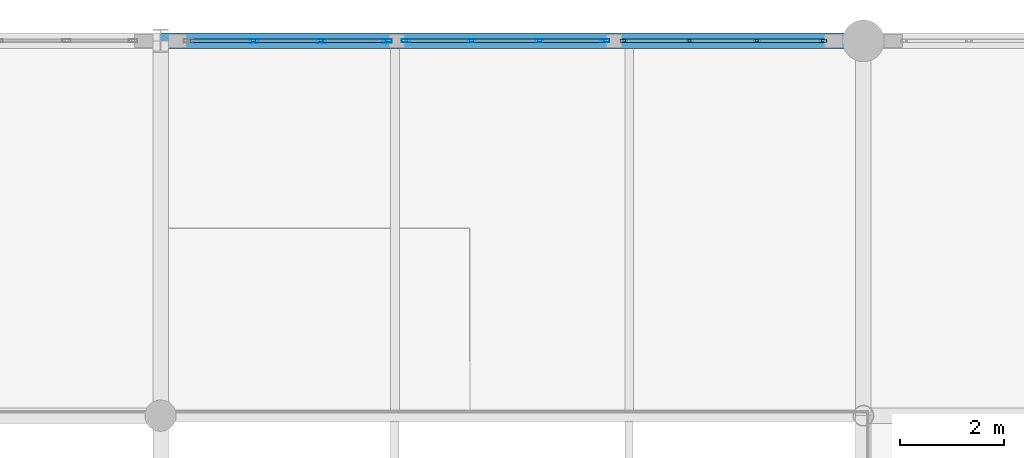
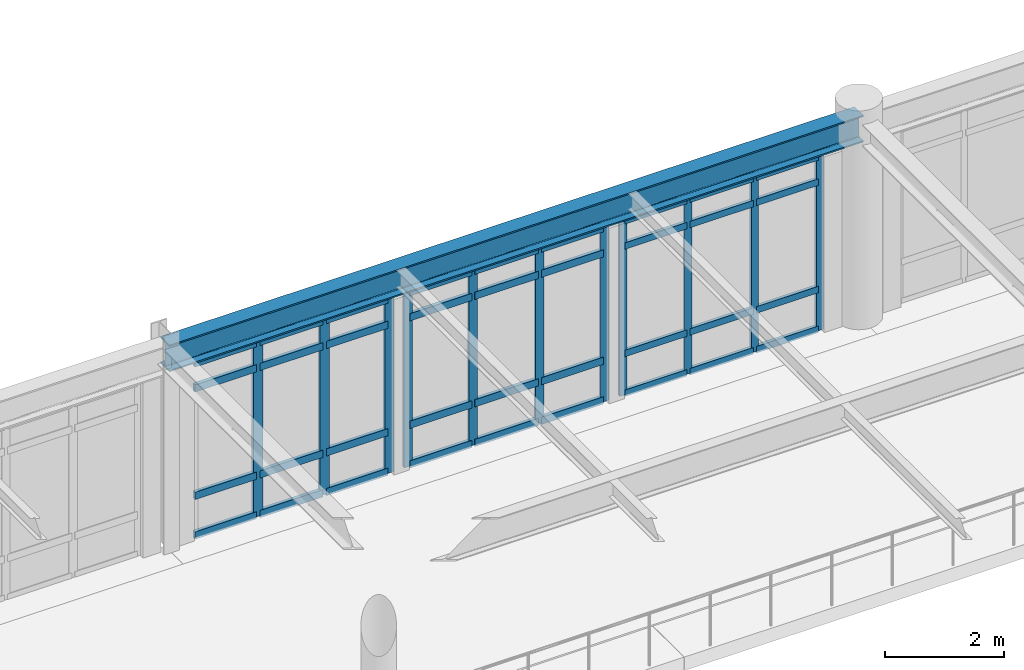
# One storey, part 27 of 61: 47 members, 1 beam, 3 elements without a shape of their own.
"""IFC4 building model written with IfcOpenShell, lengths in metres."""

from ifc_helpers import new_model, si_unit, direction, frame, origin, origin_2d, place, context, subcontext, project, spatial, hollow_rectangle, i_section, extrude, material, layer, layer_set, material_profile, profile_set, type_object, element, aggregate, save


model = new_model("IFC4")

# Units and contexts
model_context = context("Model", 3, precision=1e-05, world=origin(), true_north=direction((0.0, 1.0)))
body_context = subcontext(model_context, "Body", "Model", "MODEL_VIEW")
ifc_project = project(units=[si_unit("LENGTHUNIT", "METRE"), si_unit("AREAUNIT", "SQUARE_METRE"), si_unit("VOLUMEUNIT", "CUBIC_METRE"), si_unit("PLANEANGLEUNIT", "RADIAN"), si_unit("MASSUNIT", "GRAM", prefix="KILO")], contexts=[model_context])

# Site, building, storey
site_placement = place(None, origin())
site = spatial("IfcSite", under=ifc_project, at=site_placement, CompositionType="ELEMENT")
building_placement = place(site_placement, origin())
building = spatial("IfcBuilding", under=site, at=building_placement, Name="Fikremerkos Civic Library", CompositionType="ELEMENT")
storey_placement = place(building_placement, frame((0.0, 0.0, 14.39990234375)))
storey = spatial("IfcBuildingStorey", under=building, at=storey_placement, Name="L03", CompositionType="ELEMENT", Elevation=14.39990234375)

# Curtain wall, members
ifc_material_1 = material(Name="Anodized aluminium Frame", Category="aluminium")
ifc_layer_1 = layer(ifc_material_1, 0.159912109375, Name="Anodized aluminium Frame")
ifc_layer_set_1 = layer_set([ifc_layer_1], Name="Anodized aluminium Frame")
curtain_wall_type_1 = type_object("IfcCurtainWallType", Name="Unitised curtain wall CW-01 3600x3600", PredefinedType="USERDEFINED", material=ifc_layer_set_1)
curtain_wall_1_placement = place(storey_placement, origin())
curtain_wall_1 = element("IfcCurtainWall", 1, at=curtain_wall_1_placement, inside=storey, type_object=curtain_wall_type_1, Name="Unitised curtain wall CW-01 L03 #199", ObjectType="UNITISED CURTAIN WALL", PredefinedType="USERDEFINED")
ifc_material_profile_1 = material_profile(ifc_material_1, hollow_rectangle(XDim=0.06494140625, YDim=0.179931640625, WallThickness=0.00439453125, at=origin_2d()), Name="ALU 180x65x4.5")
ifc_profile_set_1 = profile_set([ifc_material_profile_1], Name="Anodized aluminium Frame")
member_type_1 = type_object("IfcMemberType", Name="Curtain mullion CWM-01 ALU 180x65x4.5", PredefinedType="MULLION", material=ifc_profile_set_1)
member_1_placement = place(storey_placement, frame((74.992919921875, 48.0, 0.0), z_axis=(0.0, 0.0, 1.0), x_axis=(0.0, 1.0, 0.0)))
member_1 = element("IfcMember", 2, at=member_1_placement, type_object=member_type_1, Name="CW-01 mullion 2", PredefinedType="MULLION", context=body_context, shape_type="SweptSolid", body=[
    extrude(hollow_rectangle(XDim=0.06494140625, YDim=0.179931640625, WallThickness=0.00439453125, at=origin_2d()), origin(), (0.0, 0.0, 1.0), 3.610107421875),
])
member_2_placement = place(storey_placement, frame((76.287841796875, 48.0, 0.0), z_axis=(0.0, 0.0, 1.0), x_axis=(0.0, 1.0, 0.0)))
member_2 = element("IfcMember", 3, at=member_2_placement, type_object=member_type_1, Name="CW-01 mullion 3", PredefinedType="MULLION", context=body_context, shape_type="SweptSolid", body=[
    extrude(hollow_rectangle(XDim=0.06494140625, YDim=0.179931640625, WallThickness=0.00439453125, at=origin_2d()), origin(), (0.0, 0.0, 1.0), 3.610107421875),
])
member_3_placement = place(storey_placement, frame((77.550048828125, 48.0, 0.0), z_axis=(0.0, 0.0, 1.0), x_axis=(0.0, 1.0, 0.0)))
member_3 = element("IfcMember", 4, at=member_3_placement, type_object=member_type_1, Name="CW-01 mullion 4", PredefinedType="MULLION", context=body_context, shape_type="SweptSolid", body=[
    extrude(hollow_rectangle(XDim=0.06494140625, YDim=0.179931640625, WallThickness=0.00439453125, at=origin_2d()), origin(), (0.0, 0.0, 1.0), 3.610107421875),
])

ifc_layer_2 = layer(ifc_material_1, 0.159912109375, Name="Anodized aluminium Frame")
ifc_layer_set_2 = layer_set([ifc_layer_2], Name="Anodized aluminium Frame")
curtain_wall_type_2 = type_object("IfcCurtainWallType", Name="Unitised curtain wall CW-02 3900x3600", PredefinedType="USERDEFINED", material=ifc_layer_set_2)
curtain_wall_2_placement = place(storey_placement, origin())
curtain_wall_2 = element("IfcCurtainWall", 5, at=curtain_wall_2_placement, inside=storey, type_object=curtain_wall_type_2, Name="Unitised curtain wall CW-02 L03 #200", ObjectType="UNITISED CURTAIN WALL", PredefinedType="USERDEFINED")
ifc_material_profile_2 = material_profile(ifc_material_1, hollow_rectangle(XDim=0.06005859375, YDim=0.159912109375, WallThickness=0.00390625, at=origin_2d()), Name="ALU 160x60x4")
ifc_profile_set_2 = profile_set([ifc_material_profile_2], Name="Anodized aluminium Frame")
member_type_2 = type_object("IfcMemberType", Name="Curtain mullion CWM-02 ALU 160x60x4", PredefinedType="MULLION", material=ifc_profile_set_2)
member_4_placement = place(storey_placement, frame((77.91259765625, 48.0, 0.0), z_axis=(0.0, 0.0, 1.0), x_axis=(0.0, 1.0, 0.0)))
member_4 = element("IfcMember", 6, at=member_4_placement, type_object=member_type_2, Name="CW-02 mullion 1", PredefinedType="MULLION", context=body_context, shape_type="SweptSolid", body=[
    extrude(hollow_rectangle(XDim=0.06005859375, YDim=0.159912109375, WallThickness=0.00390625, at=origin_2d()), origin(), (0.0, 0.0, 1.0), 3.610107421875),
])
member_5_placement = place(storey_placement, frame((79.177490234375, 48.0, 0.0), z_axis=(0.0, 0.0, 1.0), x_axis=(0.0, 1.0, 0.0)))
member_5 = element("IfcMember", 7, at=member_5_placement, type_object=member_type_2, Name="CW-02 mullion 2", PredefinedType="MULLION", context=body_context, shape_type="SweptSolid", body=[
    extrude(hollow_rectangle(XDim=0.06005859375, YDim=0.159912109375, WallThickness=0.00390625, at=origin_2d()), origin(), (0.0, 0.0, 1.0), 3.610107421875),
])
member_6_placement = place(storey_placement, frame((80.472412109375, 48.0, 0.0), z_axis=(0.0, 0.0, 1.0), x_axis=(0.0, 1.0, 0.0)))
member_6 = element("IfcMember", 8, at=member_6_placement, type_object=member_type_2, Name="CW-02 mullion 3", PredefinedType="MULLION", context=body_context, shape_type="SweptSolid", body=[
    extrude(hollow_rectangle(XDim=0.06005859375, YDim=0.159912109375, WallThickness=0.00390625, at=origin_2d()), origin(), (0.0, 0.0, 1.0), 3.610107421875),
])
member_7_placement = place(storey_placement, frame((81.7373046875, 48.0, 0.0), z_axis=(0.0, 0.0, 1.0), x_axis=(0.0, 1.0, 0.0)))
member_7 = element("IfcMember", 9, at=member_7_placement, type_object=member_type_2, Name="CW-02 mullion 4", PredefinedType="MULLION", context=body_context, shape_type="SweptSolid", body=[
    extrude(hollow_rectangle(XDim=0.06005859375, YDim=0.159912109375, WallThickness=0.00390625, at=origin_2d()), origin(), (0.0, 0.0, 1.0), 3.610107421875),
])

ifc_layer_3 = layer(ifc_material_1, 0.159912109375, Name="Anodized aluminium Frame")
ifc_layer_set_3 = layer_set([ifc_layer_3], Name="Anodized aluminium Frame")
curtain_wall_type_3 = type_object("IfcCurtainWallType", Name="Unitised curtain wall CW-03 4100x3600", PredefinedType="USERDEFINED", material=ifc_layer_set_3)
curtain_wall_3_placement = place(storey_placement, origin())
curtain_wall_3 = element("IfcCurtainWall", 10, at=curtain_wall_3_placement, inside=storey, type_object=curtain_wall_type_3, Name="Unitised curtain wall CW-03 L03 #201", ObjectType="UNITISED CURTAIN WALL", PredefinedType="USERDEFINED")
ifc_material_profile_3 = material_profile(ifc_material_1, hollow_rectangle(XDim=0.06005859375, YDim=0.139892578125, WallThickness=0.00390625, at=origin_2d()), Name="ALU 140x60x4")
ifc_profile_set_3 = profile_set([ifc_material_profile_3], Name="Anodized aluminium Frame")
member_type_3 = type_object("IfcMemberType", Name="Curtain mullion CWM-03 ALU 140x60x4", PredefinedType="MULLION", material=ifc_profile_set_3)
member_8_placement = place(storey_placement, frame((82.097412109375, 48.0, 0.0), z_axis=(0.0, 0.0, 1.0), x_axis=(0.0, 1.0, 0.0)))
member_8 = element("IfcMember", 11, at=member_8_placement, type_object=member_type_3, Name="CW-03 mullion 1", PredefinedType="MULLION", context=body_context, shape_type="SweptSolid", body=[
    extrude(hollow_rectangle(XDim=0.06005859375, YDim=0.139892578125, WallThickness=0.00390625, at=origin_2d()), origin(), (0.0, 0.0, 1.0), 3.610107421875),
])
member_9_placement = place(storey_placement, frame((83.3623046875, 48.0, 0.0), z_axis=(0.0, 0.0, 1.0), x_axis=(0.0, 1.0, 0.0)))
member_9 = element("IfcMember", 12, at=member_9_placement, type_object=member_type_3, Name="CW-03 mullion 2", PredefinedType="MULLION", context=body_context, shape_type="SweptSolid", body=[
    extrude(hollow_rectangle(XDim=0.06005859375, YDim=0.139892578125, WallThickness=0.00390625, at=origin_2d()), origin(), (0.0, 0.0, 1.0), 3.610107421875),
])
member_10_placement = place(storey_placement, frame((84.6572265625, 48.0, 0.0), z_axis=(0.0, 0.0, 1.0), x_axis=(0.0, 1.0, 0.0)))
member_10 = element("IfcMember", 13, at=member_10_placement, type_object=member_type_3, Name="CW-03 mullion 3", PredefinedType="MULLION", context=body_context, shape_type="SweptSolid", body=[
    extrude(hollow_rectangle(XDim=0.06005859375, YDim=0.139892578125, WallThickness=0.00390625, at=origin_2d()), origin(), (0.0, 0.0, 1.0), 3.610107421875),
])
member_11_placement = place(storey_placement, frame((85.922119140625, 48.0, 0.0), z_axis=(0.0, 0.0, 1.0), x_axis=(0.0, 1.0, 0.0)))
member_11 = element("IfcMember", 14, at=member_11_placement, type_object=member_type_3, Name="CW-03 mullion 4", PredefinedType="MULLION", context=body_context, shape_type="SweptSolid", body=[
    extrude(hollow_rectangle(XDim=0.06005859375, YDim=0.139892578125, WallThickness=0.00390625, at=origin_2d()), origin(), (0.0, 0.0, 1.0), 3.610107421875),
])

# Member
ifc_material_profile_4 = material_profile(ifc_material_1, hollow_rectangle(XDim=0.070068359375, YDim=0.14990234375, WallThickness=0.00439453125, at=origin_2d()), Name="ALU 150x70x4.5")
ifc_profile_set_4 = profile_set([ifc_material_profile_4], Name="Anodized aluminium Frame")
member_type_4 = type_object("IfcMemberType", Name="Curtain transom CWT-01 ALU 150x70x4.5", PredefinedType="USERDEFINED", material=ifc_profile_set_4)
member_12_placement = place(storey_placement, frame((73.762939453125, 48.0, 0.03515625), z_axis=(1.0, 0.0, 0.0), x_axis=(0.0, 1.0, 0.0)))
member_12 = element("IfcMember", 15, at=member_12_placement, type_object=member_type_4, Name="CW-01 transom 1.1", ObjectType="TRANSOM", PredefinedType="USERDEFINED", context=body_context, shape_type="SweptSolid", body=[
    extrude(hollow_rectangle(XDim=0.070068359375, YDim=0.14990234375, WallThickness=0.00439453125, at=origin_2d()), origin(), (0.0, 0.0, 1.0), 1.197509765625),
])

member_13_placement = place(storey_placement, frame((73.762939453125, 48.0, 0.85009765625), z_axis=(1.0, 0.0, 0.0), x_axis=(0.0, 1.0, 0.0)))
member_13 = element("IfcMember", 16, at=member_13_placement, type_object=member_type_4, Name="CW-01 transom 1.2", ObjectType="TRANSOM", PredefinedType="USERDEFINED", context=body_context, shape_type="SweptSolid", body=[
    extrude(hollow_rectangle(XDim=0.070068359375, YDim=0.14990234375, WallThickness=0.00439453125, at=origin_2d()), origin(), (0.0, 0.0, 1.0), 1.197509765625),
])

member_14_placement = place(storey_placement, frame((73.762939453125, 48.0, 3.06005859375), z_axis=(1.0, 0.0, 0.0), x_axis=(0.0, 1.0, 0.0)))
member_14 = element("IfcMember", 17, at=member_14_placement, type_object=member_type_4, Name="CW-01 transom 1.3", ObjectType="TRANSOM", PredefinedType="USERDEFINED", context=body_context, shape_type="SweptSolid", body=[
    extrude(hollow_rectangle(XDim=0.070068359375, YDim=0.14990234375, WallThickness=0.00439453125, at=origin_2d()), origin(), (0.0, 0.0, 1.0), 1.197509765625),
])

member_15_placement = place(storey_placement, frame((73.762939453125, 48.0, 3.5751953125), z_axis=(1.0, 0.0, 0.0), x_axis=(0.0, 1.0, 0.0)))
member_15 = element("IfcMember", 18, at=member_15_placement, type_object=member_type_4, Name="CW-01 transom 1.4", ObjectType="TRANSOM", PredefinedType="USERDEFINED", context=body_context, shape_type="SweptSolid", body=[
    extrude(hollow_rectangle(XDim=0.070068359375, YDim=0.14990234375, WallThickness=0.00439453125, at=origin_2d()), origin(), (0.0, 0.0, 1.0), 1.197509765625),
])

member_16_placement = place(storey_placement, frame((75.025390625, 48.0, 0.03515625), z_axis=(1.0, 0.0, 0.0), x_axis=(0.0, 1.0, 0.0)))
member_16 = element("IfcMember", 19, at=member_16_placement, type_object=member_type_4, Name="CW-01 transom 2.1", ObjectType="TRANSOM", PredefinedType="USERDEFINED", context=body_context, shape_type="SweptSolid", body=[
    extrude(hollow_rectangle(XDim=0.070068359375, YDim=0.14990234375, WallThickness=0.00439453125, at=origin_2d()), origin(), (0.0, 0.0, 1.0), 1.22998046875),
])

member_17_placement = place(storey_placement, frame((75.025390625, 48.0, 0.85009765625), z_axis=(1.0, 0.0, 0.0), x_axis=(0.0, 1.0, 0.0)))
member_17 = element("IfcMember", 20, at=member_17_placement, type_object=member_type_4, Name="CW-01 transom 2.2", ObjectType="TRANSOM", PredefinedType="USERDEFINED", context=body_context, shape_type="SweptSolid", body=[
    extrude(hollow_rectangle(XDim=0.070068359375, YDim=0.14990234375, WallThickness=0.00439453125, at=origin_2d()), origin(), (0.0, 0.0, 1.0), 1.22998046875),
])

member_18_placement = place(storey_placement, frame((75.025390625, 48.0, 3.06005859375), z_axis=(1.0, 0.0, 0.0), x_axis=(0.0, 1.0, 0.0)))
member_18 = element("IfcMember", 21, at=member_18_placement, type_object=member_type_4, Name="CW-01 transom 2.3", ObjectType="TRANSOM", PredefinedType="USERDEFINED", context=body_context, shape_type="SweptSolid", body=[
    extrude(hollow_rectangle(XDim=0.070068359375, YDim=0.14990234375, WallThickness=0.00439453125, at=origin_2d()), origin(), (0.0, 0.0, 1.0), 1.22998046875),
])

member_19_placement = place(storey_placement, frame((75.025390625, 48.0, 3.5751953125), z_axis=(1.0, 0.0, 0.0), x_axis=(0.0, 1.0, 0.0)))
member_19 = element("IfcMember", 22, at=member_19_placement, type_object=member_type_4, Name="CW-01 transom 2.4", ObjectType="TRANSOM", PredefinedType="USERDEFINED", context=body_context, shape_type="SweptSolid", body=[
    extrude(hollow_rectangle(XDim=0.070068359375, YDim=0.14990234375, WallThickness=0.00439453125, at=origin_2d()), origin(), (0.0, 0.0, 1.0), 1.22998046875),
])

member_20_placement = place(storey_placement, frame((76.3203125, 48.0, 0.03515625), z_axis=(1.0, 0.0, 0.0), x_axis=(0.0, 1.0, 0.0)))
member_20 = element("IfcMember", 23, at=member_20_placement, type_object=member_type_4, Name="CW-01 transom 3.1", ObjectType="TRANSOM", PredefinedType="USERDEFINED", context=body_context, shape_type="SweptSolid", body=[
    extrude(hollow_rectangle(XDim=0.070068359375, YDim=0.14990234375, WallThickness=0.00439453125, at=origin_2d()), origin(), (0.0, 0.0, 1.0), 1.197265625),
])

member_21_placement = place(storey_placement, frame((76.3203125, 48.0, 0.85009765625), z_axis=(1.0, 0.0, 0.0), x_axis=(0.0, 1.0, 0.0)))
member_21 = element("IfcMember", 24, at=member_21_placement, type_object=member_type_4, Name="CW-01 transom 3.2", ObjectType="TRANSOM", PredefinedType="USERDEFINED", context=body_context, shape_type="SweptSolid", body=[
    extrude(hollow_rectangle(XDim=0.070068359375, YDim=0.14990234375, WallThickness=0.00439453125, at=origin_2d()), origin(), (0.0, 0.0, 1.0), 1.197265625),
])

member_22_placement = place(storey_placement, frame((76.3203125, 48.0, 3.06005859375), z_axis=(1.0, 0.0, 0.0), x_axis=(0.0, 1.0, 0.0)))
member_22 = element("IfcMember", 25, at=member_22_placement, type_object=member_type_4, Name="CW-01 transom 3.3", ObjectType="TRANSOM", PredefinedType="USERDEFINED", context=body_context, shape_type="SweptSolid", body=[
    extrude(hollow_rectangle(XDim=0.070068359375, YDim=0.14990234375, WallThickness=0.00439453125, at=origin_2d()), origin(), (0.0, 0.0, 1.0), 1.197265625),
])

member_23_placement = place(storey_placement, frame((76.3203125, 48.0, 3.5751953125), z_axis=(1.0, 0.0, 0.0), x_axis=(0.0, 1.0, 0.0)))
member_23 = element("IfcMember", 26, at=member_23_placement, type_object=member_type_4, Name="CW-01 transom 3.4", ObjectType="TRANSOM", PredefinedType="USERDEFINED", context=body_context, shape_type="SweptSolid", body=[
    extrude(hollow_rectangle(XDim=0.070068359375, YDim=0.14990234375, WallThickness=0.00439453125, at=origin_2d()), origin(), (0.0, 0.0, 1.0), 1.197265625),
])

aggregate(curtain_wall_1, [member_1, member_2, member_3, member_12, member_13, member_14, member_15, member_16, member_17, member_18, member_19, member_20, member_21, member_22, member_23])

member_24_placement = place(storey_placement, frame((77.942626953125, 48.0, 0.03515625), z_axis=(1.0, 0.0, 0.0), x_axis=(0.0, 1.0, 0.0)))
member_24 = element("IfcMember", 27, at=member_24_placement, type_object=member_type_4, Name="CW-02 transom 1.1", ObjectType="TRANSOM", PredefinedType="USERDEFINED", context=body_context, shape_type="SweptSolid", body=[
    extrude(hollow_rectangle(XDim=0.070068359375, YDim=0.14990234375, WallThickness=0.00439453125, at=origin_2d()), origin(), (0.0, 0.0, 1.0), 1.204833984375),
])

member_25_placement = place(storey_placement, frame((77.942626953125, 48.0, 0.85009765625), z_axis=(1.0, 0.0, 0.0), x_axis=(0.0, 1.0, 0.0)))
member_25 = element("IfcMember", 28, at=member_25_placement, type_object=member_type_4, Name="CW-02 transom 1.2", ObjectType="TRANSOM", PredefinedType="USERDEFINED", context=body_context, shape_type="SweptSolid", body=[
    extrude(hollow_rectangle(XDim=0.070068359375, YDim=0.14990234375, WallThickness=0.00439453125, at=origin_2d()), origin(), (0.0, 0.0, 1.0), 1.204833984375),
])

member_26_placement = place(storey_placement, frame((77.942626953125, 48.0, 3.06005859375), z_axis=(1.0, 0.0, 0.0), x_axis=(0.0, 1.0, 0.0)))
member_26 = element("IfcMember", 29, at=member_26_placement, type_object=member_type_4, Name="CW-02 transom 1.3", ObjectType="TRANSOM", PredefinedType="USERDEFINED", context=body_context, shape_type="SweptSolid", body=[
    extrude(hollow_rectangle(XDim=0.070068359375, YDim=0.14990234375, WallThickness=0.00439453125, at=origin_2d()), origin(), (0.0, 0.0, 1.0), 1.204833984375),
])

member_27_placement = place(storey_placement, frame((77.942626953125, 48.0, 3.5751953125), z_axis=(1.0, 0.0, 0.0), x_axis=(0.0, 1.0, 0.0)))
member_27 = element("IfcMember", 30, at=member_27_placement, type_object=member_type_4, Name="CW-02 transom 1.4", ObjectType="TRANSOM", PredefinedType="USERDEFINED", context=body_context, shape_type="SweptSolid", body=[
    extrude(hollow_rectangle(XDim=0.070068359375, YDim=0.14990234375, WallThickness=0.00439453125, at=origin_2d()), origin(), (0.0, 0.0, 1.0), 1.204833984375),
])

member_28_placement = place(storey_placement, frame((79.20751953125, 48.0, 0.03515625), z_axis=(1.0, 0.0, 0.0), x_axis=(0.0, 1.0, 0.0)))
member_28 = element("IfcMember", 31, at=member_28_placement, type_object=member_type_4, Name="CW-02 transom 2.1", ObjectType="TRANSOM", PredefinedType="USERDEFINED", context=body_context, shape_type="SweptSolid", body=[
    extrude(hollow_rectangle(XDim=0.070068359375, YDim=0.14990234375, WallThickness=0.00439453125, at=origin_2d()), origin(), (0.0, 0.0, 1.0), 1.23486328125),
])

member_29_placement = place(storey_placement, frame((79.20751953125, 48.0, 0.85009765625), z_axis=(1.0, 0.0, 0.0), x_axis=(0.0, 1.0, 0.0)))
member_29 = element("IfcMember", 32, at=member_29_placement, type_object=member_type_4, Name="CW-02 transom 2.2", ObjectType="TRANSOM", PredefinedType="USERDEFINED", context=body_context, shape_type="SweptSolid", body=[
    extrude(hollow_rectangle(XDim=0.070068359375, YDim=0.14990234375, WallThickness=0.00439453125, at=origin_2d()), origin(), (0.0, 0.0, 1.0), 1.23486328125),
])

member_30_placement = place(storey_placement, frame((79.20751953125, 48.0, 3.06005859375), z_axis=(1.0, 0.0, 0.0), x_axis=(0.0, 1.0, 0.0)))
member_30 = element("IfcMember", 33, at=member_30_placement, type_object=member_type_4, Name="CW-02 transom 2.3", ObjectType="TRANSOM", PredefinedType="USERDEFINED", context=body_context, shape_type="SweptSolid", body=[
    extrude(hollow_rectangle(XDim=0.070068359375, YDim=0.14990234375, WallThickness=0.00439453125, at=origin_2d()), origin(), (0.0, 0.0, 1.0), 1.23486328125),
])

member_31_placement = place(storey_placement, frame((79.20751953125, 48.0, 3.5751953125), z_axis=(1.0, 0.0, 0.0), x_axis=(0.0, 1.0, 0.0)))
member_31 = element("IfcMember", 34, at=member_31_placement, type_object=member_type_4, Name="CW-02 transom 2.4", ObjectType="TRANSOM", PredefinedType="USERDEFINED", context=body_context, shape_type="SweptSolid", body=[
    extrude(hollow_rectangle(XDim=0.070068359375, YDim=0.14990234375, WallThickness=0.00439453125, at=origin_2d()), origin(), (0.0, 0.0, 1.0), 1.23486328125),
])

member_32_placement = place(storey_placement, frame((80.50244140625, 48.0, 0.03515625), z_axis=(1.0, 0.0, 0.0), x_axis=(0.0, 1.0, 0.0)))
member_32 = element("IfcMember", 35, at=member_32_placement, type_object=member_type_4, Name="CW-02 transom 3.1", ObjectType="TRANSOM", PredefinedType="USERDEFINED", context=body_context, shape_type="SweptSolid", body=[
    extrude(hollow_rectangle(XDim=0.070068359375, YDim=0.14990234375, WallThickness=0.00439453125, at=origin_2d()), origin(), (0.0, 0.0, 1.0), 1.204833984375),
])

member_33_placement = place(storey_placement, frame((80.50244140625, 48.0, 0.85009765625), z_axis=(1.0, 0.0, 0.0), x_axis=(0.0, 1.0, 0.0)))
member_33 = element("IfcMember", 36, at=member_33_placement, type_object=member_type_4, Name="CW-02 transom 3.2", ObjectType="TRANSOM", PredefinedType="USERDEFINED", context=body_context, shape_type="SweptSolid", body=[
    extrude(hollow_rectangle(XDim=0.070068359375, YDim=0.14990234375, WallThickness=0.00439453125, at=origin_2d()), origin(), (0.0, 0.0, 1.0), 1.204833984375),
])

member_34_placement = place(storey_placement, frame((80.50244140625, 48.0, 3.06005859375), z_axis=(1.0, 0.0, 0.0), x_axis=(0.0, 1.0, 0.0)))
member_34 = element("IfcMember", 37, at=member_34_placement, type_object=member_type_4, Name="CW-02 transom 3.3", ObjectType="TRANSOM", PredefinedType="USERDEFINED", context=body_context, shape_type="SweptSolid", body=[
    extrude(hollow_rectangle(XDim=0.070068359375, YDim=0.14990234375, WallThickness=0.00439453125, at=origin_2d()), origin(), (0.0, 0.0, 1.0), 1.204833984375),
])

member_35_placement = place(storey_placement, frame((80.50244140625, 48.0, 3.5751953125), z_axis=(1.0, 0.0, 0.0), x_axis=(0.0, 1.0, 0.0)))
member_35 = element("IfcMember", 38, at=member_35_placement, type_object=member_type_4, Name="CW-02 transom 3.4", ObjectType="TRANSOM", PredefinedType="USERDEFINED", context=body_context, shape_type="SweptSolid", body=[
    extrude(hollow_rectangle(XDim=0.070068359375, YDim=0.14990234375, WallThickness=0.00439453125, at=origin_2d()), origin(), (0.0, 0.0, 1.0), 1.204833984375),
])

aggregate(curtain_wall_2, [member_4, member_5, member_6, member_7, member_24, member_25, member_26, member_27, member_28, member_29, member_30, member_31, member_32, member_33, member_34, member_35])

ifc_material_profile_5 = material_profile(ifc_material_1, hollow_rectangle(XDim=0.06494140625, YDim=0.135009765625, WallThickness=0.00439453125, at=origin_2d()), Name="ALU 135x65x4.5")
ifc_profile_set_5 = profile_set([ifc_material_profile_5], Name="Anodized aluminium Frame")
member_type_5 = type_object("IfcMemberType", Name="Curtain transom CWT-02 ALU 135x65x4.5", PredefinedType="USERDEFINED", material=ifc_profile_set_5)
member_36_placement = place(storey_placement, frame((82.12744140625, 48.0, 0.03271484375), z_axis=(1.0, 0.0, 0.0), x_axis=(0.0, 1.0, 0.0)))
member_36 = element("IfcMember", 39, at=member_36_placement, type_object=member_type_5, Name="CW-03 transom 1.1", ObjectType="TRANSOM", PredefinedType="USERDEFINED", context=body_context, shape_type="SweptSolid", body=[
    extrude(hollow_rectangle(XDim=0.06494140625, YDim=0.135009765625, WallThickness=0.00439453125, at=origin_2d()), origin(), (0.0, 0.0, 1.0), 1.204833984375),
])

member_37_placement = place(storey_placement, frame((82.12744140625, 48.0, 0.85009765625), z_axis=(1.0, 0.0, 0.0), x_axis=(0.0, 1.0, 0.0)))
member_37 = element("IfcMember", 40, at=member_37_placement, type_object=member_type_5, Name="CW-03 transom 1.2", ObjectType="TRANSOM", PredefinedType="USERDEFINED", context=body_context, shape_type="SweptSolid", body=[
    extrude(hollow_rectangle(XDim=0.06494140625, YDim=0.135009765625, WallThickness=0.00439453125, at=origin_2d()), origin(), (0.0, 0.0, 1.0), 1.204833984375),
])

member_38_placement = place(storey_placement, frame((82.12744140625, 48.0, 3.06005859375), z_axis=(1.0, 0.0, 0.0), x_axis=(0.0, 1.0, 0.0)))
member_38 = element("IfcMember", 41, at=member_38_placement, type_object=member_type_5, Name="CW-03 transom 1.3", ObjectType="TRANSOM", PredefinedType="USERDEFINED", context=body_context, shape_type="SweptSolid", body=[
    extrude(hollow_rectangle(XDim=0.06494140625, YDim=0.135009765625, WallThickness=0.00439453125, at=origin_2d()), origin(), (0.0, 0.0, 1.0), 1.204833984375),
])

member_39_placement = place(storey_placement, frame((82.12744140625, 48.0, 3.57763671875), z_axis=(1.0, 0.0, 0.0), x_axis=(0.0, 1.0, 0.0)))
member_39 = element("IfcMember", 42, at=member_39_placement, type_object=member_type_5, Name="CW-03 transom 1.4", ObjectType="TRANSOM", PredefinedType="USERDEFINED", context=body_context, shape_type="SweptSolid", body=[
    extrude(hollow_rectangle(XDim=0.06494140625, YDim=0.135009765625, WallThickness=0.00439453125, at=origin_2d()), origin(), (0.0, 0.0, 1.0), 1.204833984375),
])

member_40_placement = place(storey_placement, frame((83.392333984375, 48.0, 0.03271484375), z_axis=(1.0, 0.0, 0.0), x_axis=(0.0, 1.0, 0.0)))
member_40 = element("IfcMember", 43, at=member_40_placement, type_object=member_type_5, Name="CW-03 transom 2.1", ObjectType="TRANSOM", PredefinedType="USERDEFINED", context=body_context, shape_type="SweptSolid", body=[
    extrude(hollow_rectangle(XDim=0.06494140625, YDim=0.135009765625, WallThickness=0.00439453125, at=origin_2d()), origin(), (0.0, 0.0, 1.0), 1.23486328125),
])

member_41_placement = place(storey_placement, frame((83.392333984375, 48.0, 0.85009765625), z_axis=(1.0, 0.0, 0.0), x_axis=(0.0, 1.0, 0.0)))
member_41 = element("IfcMember", 44, at=member_41_placement, type_object=member_type_5, Name="CW-03 transom 2.2", ObjectType="TRANSOM", PredefinedType="USERDEFINED", context=body_context, shape_type="SweptSolid", body=[
    extrude(hollow_rectangle(XDim=0.06494140625, YDim=0.135009765625, WallThickness=0.00439453125, at=origin_2d()), origin(), (0.0, 0.0, 1.0), 1.23486328125),
])

member_42_placement = place(storey_placement, frame((83.392333984375, 48.0, 3.06005859375), z_axis=(1.0, 0.0, 0.0), x_axis=(0.0, 1.0, 0.0)))
member_42 = element("IfcMember", 45, at=member_42_placement, type_object=member_type_5, Name="CW-03 transom 2.3", ObjectType="TRANSOM", PredefinedType="USERDEFINED", context=body_context, shape_type="SweptSolid", body=[
    extrude(hollow_rectangle(XDim=0.06494140625, YDim=0.135009765625, WallThickness=0.00439453125, at=origin_2d()), origin(), (0.0, 0.0, 1.0), 1.23486328125),
])

member_43_placement = place(storey_placement, frame((83.392333984375, 48.0, 3.57763671875), z_axis=(1.0, 0.0, 0.0), x_axis=(0.0, 1.0, 0.0)))
member_43 = element("IfcMember", 46, at=member_43_placement, type_object=member_type_5, Name="CW-03 transom 2.4", ObjectType="TRANSOM", PredefinedType="USERDEFINED", context=body_context, shape_type="SweptSolid", body=[
    extrude(hollow_rectangle(XDim=0.06494140625, YDim=0.135009765625, WallThickness=0.00439453125, at=origin_2d()), origin(), (0.0, 0.0, 1.0), 1.23486328125),
])

member_44_placement = place(storey_placement, frame((84.68701171875, 48.0, 0.03271484375), z_axis=(1.0, 0.0, 0.0), x_axis=(0.0, 1.0, 0.0)))
member_44 = element("IfcMember", 47, at=member_44_placement, type_object=member_type_5, Name="CW-03 transom 3.1", ObjectType="TRANSOM", PredefinedType="USERDEFINED", context=body_context, shape_type="SweptSolid", body=[
    extrude(hollow_rectangle(XDim=0.06494140625, YDim=0.135009765625, WallThickness=0.00439453125, at=origin_2d()), origin(), (0.0, 0.0, 1.0), 1.205078125),
])

member_45_placement = place(storey_placement, frame((84.68701171875, 48.0, 0.85009765625), z_axis=(1.0, 0.0, 0.0), x_axis=(0.0, 1.0, 0.0)))
member_45 = element("IfcMember", 48, at=member_45_placement, type_object=member_type_5, Name="CW-03 transom 3.2", ObjectType="TRANSOM", PredefinedType="USERDEFINED", context=body_context, shape_type="SweptSolid", body=[
    extrude(hollow_rectangle(XDim=0.06494140625, YDim=0.135009765625, WallThickness=0.00439453125, at=origin_2d()), origin(), (0.0, 0.0, 1.0), 1.205078125),
])

member_46_placement = place(storey_placement, frame((84.68701171875, 48.0, 3.06005859375), z_axis=(1.0, 0.0, 0.0), x_axis=(0.0, 1.0, 0.0)))
member_46 = element("IfcMember", 49, at=member_46_placement, type_object=member_type_5, Name="CW-03 transom 3.3", ObjectType="TRANSOM", PredefinedType="USERDEFINED", context=body_context, shape_type="SweptSolid", body=[
    extrude(hollow_rectangle(XDim=0.06494140625, YDim=0.135009765625, WallThickness=0.00439453125, at=origin_2d()), origin(), (0.0, 0.0, 1.0), 1.205078125),
])

member_47_placement = place(storey_placement, frame((84.68701171875, 48.0, 3.57763671875), z_axis=(1.0, 0.0, 0.0), x_axis=(0.0, 1.0, 0.0)))
member_47 = element("IfcMember", 50, at=member_47_placement, type_object=member_type_5, Name="CW-03 transom 3.4", ObjectType="TRANSOM", PredefinedType="USERDEFINED", context=body_context, shape_type="SweptSolid", body=[
    extrude(hollow_rectangle(XDim=0.06494140625, YDim=0.135009765625, WallThickness=0.00439453125, at=origin_2d()), origin(), (0.0, 0.0, 1.0), 1.205078125),
])

aggregate(curtain_wall_3, [member_8, member_9, member_10, member_11, member_36, member_37, member_38, member_39, member_40, member_41, member_42, member_43, member_44, member_45, member_46, member_47])

# Beam
ifc_material_2 = material(Name="Steel S355", Category="steel")
ifc_material_profile_6 = material_profile(ifc_material_2, i_section(OverallWidth=0.300048828125, OverallDepth=0.550048828125, WebThickness=0.014892578125, FlangeThickness=0.029052734375, FilletRadius=0.027099609375, at=origin_2d()), Name="HEB 550")
ifc_profile_set_6 = profile_set([ifc_material_profile_6], Name="Steel S355")
beam_type = type_object("IfcBeamType", Name="Primary girder BM-14 HEB 550", PredefinedType="BEAM", material=ifc_profile_set_6)
beam_placement = place(storey_placement, frame((73.199951171875, 48.0, 3.945068359375), z_axis=(1.0, 0.0, 0.0), x_axis=(0.0, 1.0, 0.0)))
element("IfcBeam", 51, at=beam_placement, inside=storey, type_object=beam_type, Name="Primary girder BM-14 L03 grid J", PredefinedType="BEAM", context=body_context, shape_type="SweptSolid", body=[
    extrude(i_section(OverallWidth=0.300048828125, OverallDepth=0.550048828125, WebThickness=0.014892578125, FlangeThickness=0.029052734375, FilletRadius=0.027099609375, at=origin_2d()), origin(), (0.0, 0.0, 1.0), 13.5),
])

save(model, "model.ifc")
